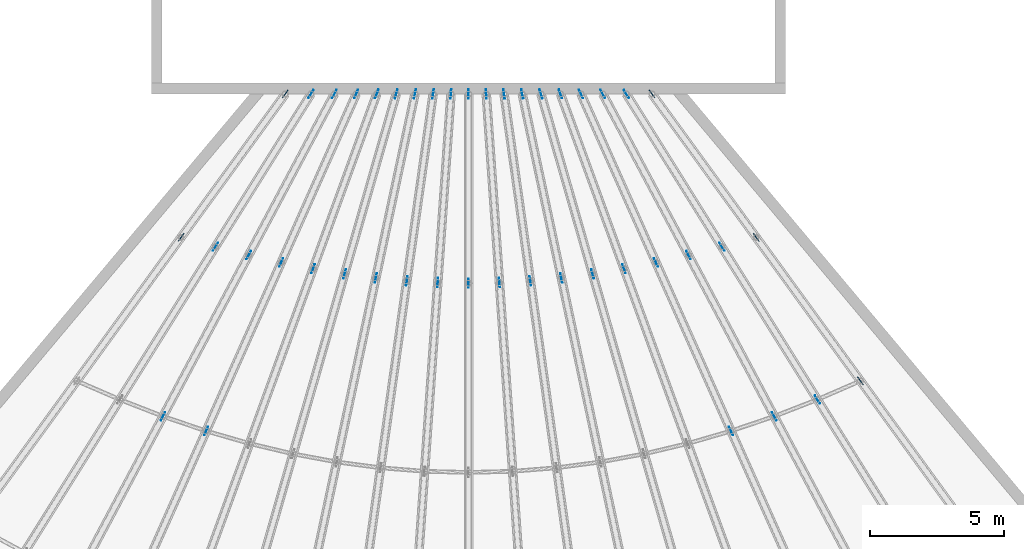
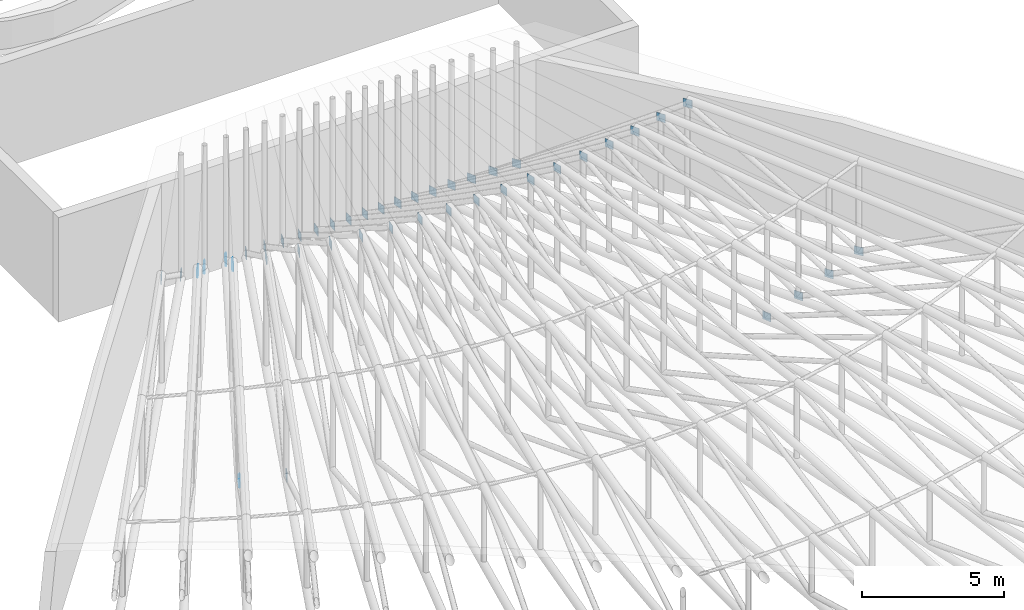
# One storey, part 134 of 163: 44 discrete accessories.
"""IFC4 building model written with IfcOpenShell, lengths in metres."""

from ifc_helpers import new_model, si_unit, direction, frame, origin, origin_2d, place, context, subcontext, project, spatial, rectangle, extrude, material, layer, layer_set, type_object, element, save


model = new_model("IFC4")

# Units and contexts
model_context = context("Model", 3, precision=1e-05, world=origin(), true_north=direction((0.0, 1.0)))
body_context = subcontext(model_context, "Body", "Model", "MODEL_VIEW")
ifc_project = project(units=[si_unit("LENGTHUNIT", "METRE"), si_unit("AREAUNIT", "SQUARE_METRE"), si_unit("VOLUMEUNIT", "CUBIC_METRE"), si_unit("PLANEANGLEUNIT", "RADIAN"), si_unit("MASSUNIT", "GRAM", prefix="KILO")], contexts=[model_context])

# Site, building, storey
site_placement = place(None, origin())
site = spatial("IfcSite", under=ifc_project, at=site_placement, CompositionType="ELEMENT")
building_placement = place(site_placement, origin())
building = spatial("IfcBuilding", under=site, at=building_placement, Name="Rain Tree Exposition and Congress Centre", CompositionType="ELEMENT")
storey_placement = place(building_placement, frame((0.0, 0.0, 10.5)))
storey = spatial("IfcBuildingStorey", under=building, at=storey_placement, Name="L02", CompositionType="ELEMENT", Elevation=10.5)

# Discrete accessories
ifc_material = material(Name="Steel plate S355J2", Category="steel")
ifc_layer = layer(ifc_material, 0.02001953125)
ifc_layer_set = layer_set([ifc_layer], Name="Steel plate S355J2")
discrete_accessory_type = type_object("IfcDiscreteAccessoryType", Name="Brace node plate 350x350x20", PredefinedType="BRACKET", material=ifc_layer_set)
for number, where, z_axis, x_axis, name in (
    (1, (190.899169921875, 52.4716796875, 4.604736328125), (0.0, 0.0, 1.0), (0.587785252292, 0.809016994375, 0.0), "Brace node plate 350"),
    (2, (194.77783203125, 57.81005859375, 0.1435546875), (0.0, 0.0, 1.0), (-0.587785252292, -0.809016994375, 0.0), "Brace node plate 350"),
    (3, (192.17919921875, 52.123291015625, 4.65283203125), (0.0, 0.0, 1.0), (0.529919264233, 0.848048096156, 0.0), "Brace node plate 350"),
    (4, (195.732421875, 57.81005859375, 0.1435546875), (0.0, 0.0, 1.0), (-0.529919264233, -0.848048096156, 0.0), "Brace node plate 350"),
    (5, (190.22900390625, 45.814208984375, 0.1435546875), (0.0, 0.0, 1.0), (-0.469471562786, -0.882947592859, 0.0), "Brace node plate 350"),
    (6, (193.418212890625, 51.81201171875, 4.6923828125), (0.0, 0.0, 1.0), (0.469471562786, 0.882947592859, 0.0), "Brace node plate 350"),
    (7, (196.607177734375, 57.81005859375, 0.1435546875), (0.0, 0.0, 1.0), (-0.469471562786, -0.882947592859, 0.0), "Brace node plate 350"),
    (8, (191.83544921875, 45.268310546875, 0.1435546875), (0.0, 0.0, 1.0), (-0.406736643076, -0.913545457643, 0.0), "Brace node plate 350"),
    (9, (194.62744140625, 51.539306640625, 4.724365234375), (0.0, 0.0, 1.0), (0.406736643076, 0.913545457643, 0.0), "Brace node plate 350"),
    (10, (197.419189453125, 57.81005859375, 0.1435546875), (0.0, 0.0, 1.0), (-0.406736643076, -0.913545457643, 0.0), "Brace node plate 350"),
    (11, (195.81494140625, 51.305908203125, 4.750244140625), (0.0, 0.0, 1.0), (0.342020143326, 0.939692620786, 0.0), "Brace node plate 350"),
    (12, (198.182373046875, 57.81005859375, 0.1435546875), (0.0, 0.0, 1.0), (-0.342020143326, -0.939692620786, 0.0), "Brace node plate 350"),
    (13, (196.9873046875, 51.113525390625, 4.770263671875), (0.0, 0.0, 1.0), (0.275637355817, 0.961261695938, 0.0), "Brace node plate 350"),
    (14, (198.907470703125, 57.81005859375, 0.1435546875), (0.0, 0.0, 1.0), (-0.275637355817, -0.961261695938, 0.0), "Brace node plate 350"),
    (15, (198.148681640625, 50.962890625, 4.785400390625), (0.0, 0.0, 1.0), (0.207911690818, 0.978147600734, 0.0), "Brace node plate 350"),
    (16, (199.60400390625, 57.81005859375, 0.1435546875), (0.0, 0.0, 1.0), (-0.207911690818, -0.978147600734, 0.0), "Brace node plate 350"),
    (17, (199.302734375, 50.854736328125, 4.796142578125), (0.0, 0.0, 1.0), (0.13917310096, 0.990268068742, 0.0), "Brace node plate 350"),
    (18, (200.2802734375, 57.81005859375, 0.1435546875), (0.0, 0.0, 1.0), (-0.13917310096, -0.990268068742, 0.0), "Brace node plate 350"),
    (19, (200.452392578125, 50.789794921875, 4.80224609375), (0.0, 0.0, 1.0), (0.069756473744, 0.99756405026, 0.0), "Brace node plate 350"),
    (20, (200.943359375, 57.81005859375, 0.1435546875), (0.0, 0.0, 1.0), (-0.069756473744, -0.99756405026, 0.0), "Brace node plate 350"),
    (21, (201.60009765625, 50.76806640625, 4.804443359375), (0.0, 0.0, 1.0), (0.0, 1.0, 0.0), "Brace node plate 350"),
    (22, (201.60009765625, 57.81005859375, 0.1435546875), (0.0, 0.0, 1.0), (0.0, -1.0, 0.0), "Brace node plate 350"),
    (23, (202.74755859375, 50.789794921875, 4.80224609375), (0.0, 0.0, 1.0), (-0.069756473744, 0.99756405026, 0.0), "Brace node plate 350"),
    (24, (202.256591796875, 57.81005859375, 0.1435546875), (0.0, 0.0, 1.0), (0.069756473744, -0.99756405026, 0.0), "Brace node plate 350"),
    (25, (203.897216796875, 50.854736328125, 4.796142578125), (0.0, 0.0, 1.0), (-0.13917310096, 0.990268068742, 0.0), "Brace node plate 350"),
    (26, (202.919677734375, 57.81005859375, 0.1435546875), (0.0, 0.0, 1.0), (0.13917310096, -0.990268068742, 0.0), "Brace node plate 350"),
    (27, (205.05126953125, 50.962890625, 4.785400390625), (0.0, 0.0, 1.0), (-0.207911690818, 0.978147600734, 0.0), "Brace node plate 350"),
    (28, (203.595947265625, 57.81005859375, 0.1435546875), (0.0, 0.0, 1.0), (0.207911690818, -0.978147600734, 0.0), "Brace node plate 350"),
    (29, (206.212646484375, 51.113525390625, 4.770263671875), (0.0, 0.0, 1.0), (-0.275637355817, 0.961261695938, 0.0), "Brace node plate 350"),
    (30, (204.29248046875, 57.81005859375, 0.1435546875), (0.0, 0.0, 1.0), (0.275637355817, -0.961261695938, 0.0), "Brace node plate 350"),
    (31, (207.385009765625, 51.305908203125, 4.750244140625), (0.0, 0.0, 1.0), (-0.342020143326, 0.939692620786, 0.0), "Brace node plate 350"),
    (32, (205.017578125, 57.81005859375, 0.1435546875), (0.0, 0.0, 1.0), (0.342020143326, -0.939692620786, 0.0), "Brace node plate 350"),
    (33, (211.364501953125, 45.268310546875, 0.1435546875), (0.0, 0.0, 1.0), (0.406736643076, -0.913545457643, 0.0), "Brace node plate 350"),
    (34, (208.572509765625, 51.539306640625, 4.724365234375), (0.0, 0.0, 1.0), (-0.406736643076, 0.913545457643, 0.0), "Brace node plate 350"),
    (35, (205.78076171875, 57.81005859375, 0.1435546875), (0.0, 0.0, 1.0), (0.406736643076, -0.913545457643, 0.0), "Brace node plate 350"),
    (36, (212.970947265625, 45.814208984375, 0.1435546875), (0.0, 0.0, 1.0), (0.469471562786, -0.882947592859, 0.0), "Brace node plate 350"),
    (37, (209.781982421875, 51.81201171875, 4.6923828125), (0.0, 0.0, 1.0), (-0.469471562786, 0.882947592859, 0.0), "Brace node plate 350"),
    (38, (206.5927734375, 57.81005859375, 0.1435546875), (0.0, 0.0, 1.0), (0.469471562786, -0.882947592859, 0.0), "Brace node plate 350"),
    (39, (214.57421875, 46.436767578125, 0.1435546875), (0.0, 0.0, 1.0), (0.529919264233, -0.848048096156, 0.0), "Brace node plate 350"),
    (40, (211.02099609375, 52.123291015625, 4.65283203125), (0.0, 0.0, 1.0), (-0.529919264233, 0.848048096156, 0.0), "Brace node plate 350"),
    (41, (207.467529296875, 57.81005859375, 0.1435546875), (0.0, 0.0, 1.0), (0.529919264233, -0.848048096156, 0.0), "Brace node plate 350"),
    (42, (216.179443359375, 47.133056640625, 0.1435546875), (0.0, 0.0, 1.0), (0.587785252292, -0.809016994375, 0.0), "Brace node plate 350"),
    (43, (212.30078125, 52.4716796875, 4.604736328125), (0.0, 0.0, 1.0), (-0.587785252292, 0.809016994375, 0.0), "Brace node plate 350"),
    (44, (208.422119140625, 57.81005859375, 0.1435546875), (0.0, 0.0, 1.0), (0.587785252292, -0.809016994375, 0.0), "Brace node plate 350"),
):
    element("IfcDiscreteAccessory", number, at=place(storey_placement, frame(where, z_axis=z_axis, x_axis=x_axis)), inside=storey, type_object=discrete_accessory_type, Name=name, PredefinedType="BRACKET", context=body_context, shape_type="SweptSolid", body=[
        extrude(rectangle(XDim=0.35009765625, YDim=0.02001953125, at=origin_2d()), origin(), (0.0, 0.0, 1.0), 0.35009765625),
    ])

save(model, "model.ifc")
